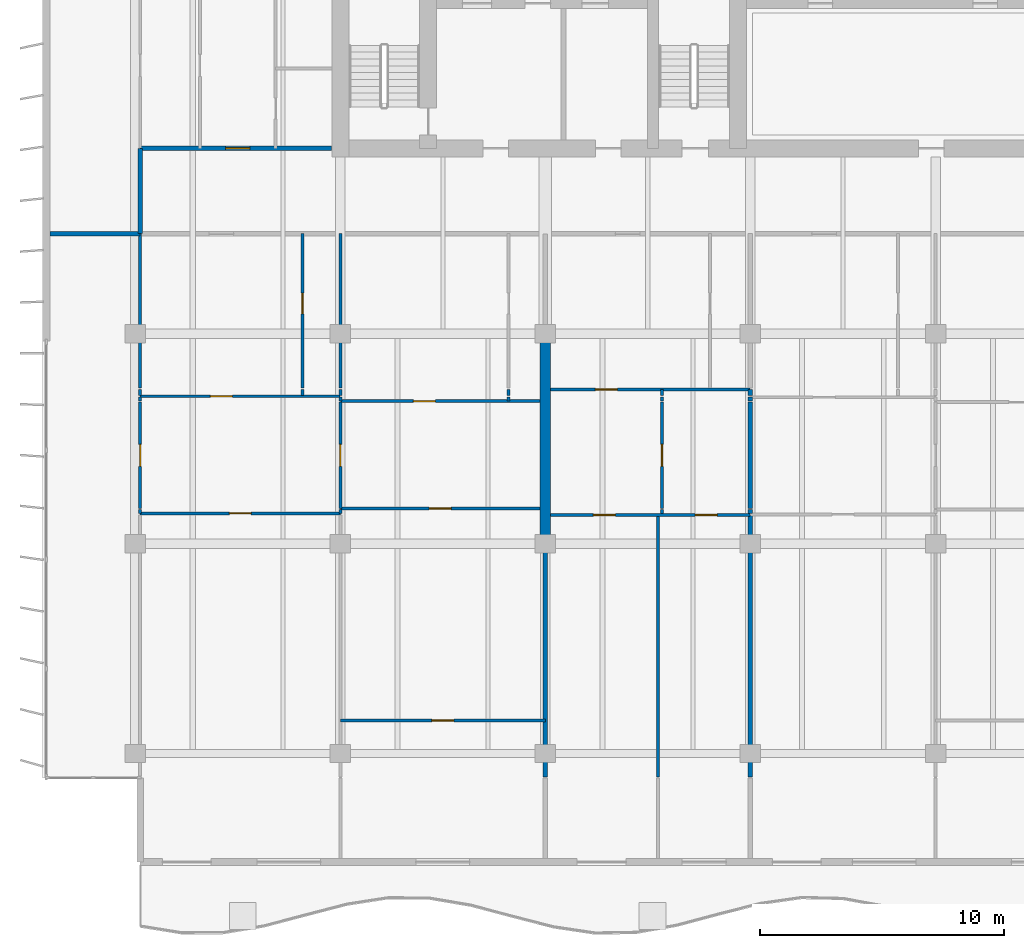
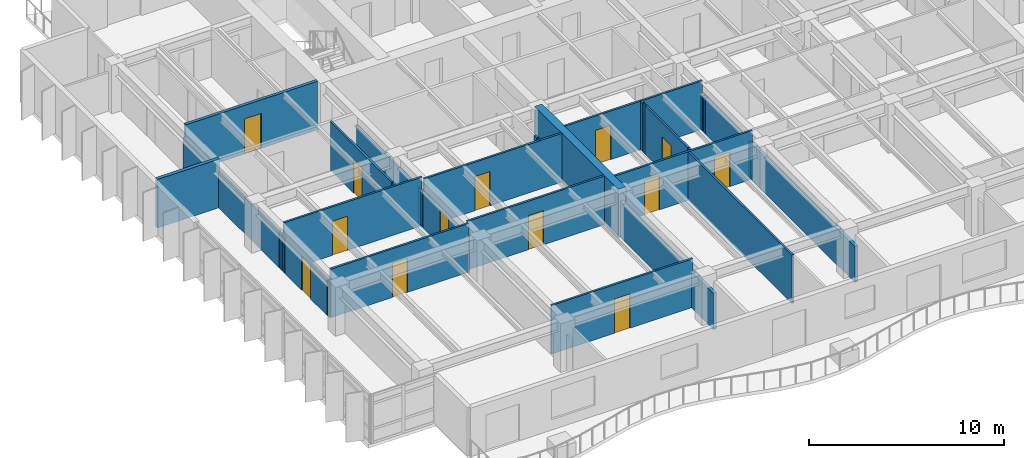
# One storey, part 8 of 19: 36 walls, 13 doors, 13 openings.
"""IFC4 building model written with IfcOpenShell, lengths in metres."""

from ifc_helpers import new_model, si_unit, direction, frame, frame_2d, origin, place, context, subcontext, project, spatial, rectangle, extrude, material, layer, layer_set, type_object, element, fill, save


model = new_model("IFC4")

# Units and contexts
model_context = context("Model", 3, precision=1e-05, world=origin(), true_north=direction((0.0, 1.0)))
body_context = subcontext(model_context, "Body", "Model", "MODEL_VIEW")
ifc_project = project(units=[si_unit("LENGTHUNIT", "METRE"), si_unit("AREAUNIT", "SQUARE_METRE"), si_unit("VOLUMEUNIT", "CUBIC_METRE"), si_unit("PLANEANGLEUNIT", "RADIAN"), si_unit("MASSUNIT", "GRAM", prefix="KILO")], contexts=[model_context])

# Site, building, storey
site_placement = place(None, origin())
site = spatial("IfcSite", under=ifc_project, at=site_placement, CompositionType="ELEMENT")
building_placement = place(site_placement, origin())
building = spatial("IfcBuilding", under=site, at=building_placement, Name="Caelmar Bay Residences", CompositionType="ELEMENT")
storey_placement = place(building_placement, frame((0.0, 0.0, 195.0)))
storey = spatial("IfcBuildingStorey", under=building, at=storey_placement, Name="L54", CompositionType="ELEMENT", Elevation=195.0)

# Walls
ifc_material_1 = material(Name="Concrete f'c 55 MPa (8,000 psi)", Category="concrete")
ifc_layer_1 = layer(ifc_material_1, 0.449951171875)
ifc_layer_set_1 = layer_set([ifc_layer_1], Name="Concrete f'c 55 MPa (8,000 psi)")
wall_type_1 = type_object("IfcWallType", Name="SW-XSLB-450", PredefinedType="SHEAR", material=ifc_layer_set_1)
wall_1_placement = place(storey_placement, frame((26.699951171875, 20.800048828125, 0.0), z_axis=(0.0, 0.0, 1.0), x_axis=(0.0, 1.0, 0.0)))
element("IfcWall", 1, at=wall_1_placement, inside=storey, type_object=wall_type_1, Name="L54 Transverse Cross-Slab Shear Wall W5", PredefinedType="SHEAR", context=body_context, shape_type="SweptSolid", body=[
    extrude(rectangle(XDim=8.599853515625, YDim=0.449951171875, at=frame_2d((4.2998046875, 0.0))), origin(), (0.0, 0.0, 1.0), 3.050048828125),
])
ifc_material_2 = material(Name="Double-stud acoustic fire-rated gypsum partition 180 mm")
ifc_layer_2 = layer(ifc_material_2, 0.179931640625)
ifc_layer_set_2 = layer_set([ifc_layer_2], Name="Double-stud acoustic fire-rated gypsum partition 180 mm")
wall_type_2 = type_object("IfcWallType", Name="W-COR-200", PredefinedType="PARTITIONING", material=ifc_layer_set_2)
wall_2_placement = place(storey_placement, frame((10.10009765625, 33.5048828125, 0.0), z_axis=(0.0, 0.0, 1.0), x_axis=(0.0, 1.0, 0.0)))
element("IfcWall", 2, at=wall_2_placement, inside=storey, type_object=wall_type_2, Name="L54 Partition Wall V007", PredefinedType="PARTITIONING", context=body_context, shape_type="SweptSolid", body=[
    extrude(rectangle(XDim=3.4951171875, YDim=0.179931640625, at=frame_2d((1.74755859375, 0.0))), origin(), (0.0, 0.0, 1.0), 2.262939453125),
])

# Wall, opening, door
wall_3_placement = place(storey_placement, frame((10.10009765625, 37.0, 0.0), z_axis=(0.0, 0.0, 1.0), x_axis=(1.0, 0.0, 0.0)))
wall_3 = element("IfcWall", 3, at=wall_3_placement, inside=storey, type_object=wall_type_2, Name="L54 Partition Wall H120", PredefinedType="PARTITIONING", context=body_context, shape_type="SweptSolid", body=[
    extrude(rectangle(XDim=7.844970703125, YDim=0.179931640625, at=frame_2d((3.92236328125, 0.0))), origin(), (0.0, 0.0, 1.0), 3.050048828125),
])
opening_1_placement = place(wall_3_placement, frame((3.49609375, 0.0, 0.0)))
opening_1 = element("IfcOpeningElement", 4, at=opening_1_placement, cuts=wall_3, Name="Opening D-L54-160", PredefinedType="OPENING", context=body_context, shape_type="SweptSolid", body=[
    extrude(rectangle(XDim=1.0, YDim=2.199951171875, at=frame_2d((0.5, 1.10009765625))), frame((0.0, 0.099853515625, 0.0), z_axis=(0.0, -1.0, 0.0), x_axis=(1.0, 0.0, 0.0)), (0.0, 0.0, 1.0), 0.199951171875),
])
ifc_material_3 = material(Name="Fire-rated steel and walnut architectural door assembly", Category="steel")
ifc_layer_3 = layer(ifc_material_3, 0.050048828125)
ifc_layer_set_3 = layer_set([ifc_layer_3], Name="Fire-rated steel and walnut architectural door assembly")
door_type_1 = type_object("IfcDoorType", Name="D-UNIT-1000", OperationType="NOTDEFINED", PredefinedType="DOOR", material=ifc_layer_set_3)
door_1_placement = place(opening_1_placement, origin())
door_1 = element("IfcDoor", 5, at=door_1_placement, inside=storey, type_object=door_type_1, Name="L54 Residence WA Kitchen Door", OperationType="SINGLE_SWING_RIGHT", OverallHeight=2.199951171875, OverallWidth=1.0, PredefinedType="DOOR", context=body_context, shape_type="SweptSolid", body=[
    extrude(rectangle(XDim=1.0, YDim=2.199951171875, at=frame_2d((0.5, 1.10009765625))), frame((0.0, 0.02490234375, 0.0), z_axis=(0.0, -1.0, 0.0), x_axis=(1.0, 0.0, 0.0)), (0.0, 0.0, 1.0), 0.050048828125),
])
fill(opening_1, door_1)

# Wall
ifc_material_4 = material(Name="Acoustic metal-stud gypsum partition 120 mm")
ifc_layer_4 = layer(ifc_material_4, 0.1201171875)
ifc_layer_set_4 = layer_set([ifc_layer_4], Name="Acoustic metal-stud gypsum partition 120 mm")
wall_type_3 = type_object("IfcWallType", Name="W-PRT-120", PredefinedType="PARTITIONING", material=ifc_layer_set_4)
wall_4_placement = place(storey_placement, frame((10.10009765625, 22.0400390625, 0.0), z_axis=(0.0, 0.0, 1.0), x_axis=(0.0, 1.0, 0.0)))
element("IfcWall", 6, at=wall_4_placement, inside=storey, type_object=wall_type_3, Name="L54 Partition Wall V002", PredefinedType="PARTITIONING", context=body_context, shape_type="SweptSolid", body=[
    extrude(rectangle(XDim=0.159912109375, YDim=0.1201171875, at=frame_2d((0.080078125, 0.0))), origin(), (0.0, 0.0, 1.0), 2.262939453125),
])

# Wall, opening, door
wall_5_placement = place(storey_placement, frame((10.10009765625, 22.239990234375, 0.0), z_axis=(0.0, 0.0, 1.0), x_axis=(0.0, 1.0, 0.0)))
wall_5 = element("IfcWall", 7, at=wall_5_placement, inside=storey, type_object=wall_type_3, Name="L54 Partition Wall V003", PredefinedType="PARTITIONING", context=body_context, shape_type="SweptSolid", body=[
    extrude(rectangle(XDim=4.360107421875, YDim=0.1201171875, at=frame_2d((2.18017578125, 0.0))), origin(), (0.0, 0.0, 1.0), 2.262939453125),
])
opening_2_placement = place(wall_5_placement, frame((1.72998046875, 0.0, 0.0)))
opening_2 = element("IfcOpeningElement", 8, at=opening_2_placement, cuts=wall_5, Name="Opening D-L54-157", PredefinedType="OPENING", context=body_context, shape_type="SweptSolid", body=[
    extrude(rectangle(XDim=0.89990234375, YDim=2.14990234375, at=frame_2d((0.449951171875, 1.074951171875))), frame((0.0, 0.070068359375, 0.0), z_axis=(0.0, -1.0, 0.0), x_axis=(1.0, 0.0, 0.0)), (0.0, 0.0, 1.0), 0.14013671875),
])
ifc_material_5 = material(Name="Solid walnut timber interior door leaf and frame", Category="wood")
ifc_layer_5 = layer(ifc_material_5, 0.050048828125)
ifc_layer_set_5 = layer_set([ifc_layer_5], Name="Solid walnut timber interior door leaf and frame")
door_type_2 = type_object("IfcDoorType", Name="D-ROOM-900", OperationType="NOTDEFINED", PredefinedType="DOOR", material=ifc_layer_set_5)
door_2_placement = place(opening_2_placement, origin())
door_2 = element("IfcDoor", 9, at=door_2_placement, inside=storey, type_object=door_type_2, Name="L54 Residence 01 Penthouse West Salon Door", OperationType="SINGLE_SWING_LEFT", OverallHeight=2.14990234375, OverallWidth=0.89990234375, PredefinedType="DOOR", context=body_context, shape_type="SweptSolid", body=[
    extrude(rectangle(XDim=0.89990234375, YDim=2.14990234375, at=frame_2d((0.449951171875, 1.074951171875))), frame((0.0, 0.02490234375, 0.0), z_axis=(0.0, -1.0, 0.0), x_axis=(1.0, 0.0, 0.0)), (0.0, 0.0, 1.0), 0.050048828125),
])
fill(opening_2, door_2)

# Walls
wall_6_placement = place(storey_placement, frame((10.10009765625, 26.639892578125, 0.0), z_axis=(0.0, 0.0, 1.0), x_axis=(0.0, 1.0, 0.0)))
element("IfcWall", 10, at=wall_6_placement, inside=storey, type_object=wall_type_3, Name="L54 Partition Wall V004", PredefinedType="PARTITIONING", context=body_context, shape_type="SweptSolid", body=[
    extrude(rectangle(XDim=0.16015625, YDim=0.1201171875, at=frame_2d((0.080078125, 0.0))), origin(), (0.0, 0.0, 1.0), 2.262939453125),
])
wall_7_placement = place(storey_placement, frame((10.10009765625, 26.8798828125, 0.0), z_axis=(0.0, 0.0, 1.0), x_axis=(0.0, 1.0, 0.0)))
element("IfcWall", 11, at=wall_7_placement, inside=storey, type_object=wall_type_3, Name="L54 Partition Wall V005", PredefinedType="PARTITIONING", context=body_context, shape_type="SweptSolid", body=[
    extrude(rectangle(XDim=0.240234375, YDim=0.1201171875, at=frame_2d((0.1201171875, 0.0))), origin(), (0.0, 0.0, 1.0), 2.262939453125),
])
wall_8_placement = place(storey_placement, frame((10.10009765625, 27.179931640625, 0.0), z_axis=(0.0, 0.0, 1.0), x_axis=(0.0, 1.0, 0.0)))
element("IfcWall", 12, at=wall_8_placement, inside=storey, type_object=wall_type_3, Name="L54 Partition Wall V006", PredefinedType="PARTITIONING", context=body_context, shape_type="SweptSolid", body=[
    extrude(rectangle(XDim=6.320068359375, YDim=0.1201171875, at=frame_2d((3.16015625, 0.0))), origin(), (0.0, 0.0, 1.0), 2.262939453125),
])
wall_9_placement = place(storey_placement, frame((16.7529296875, 26.8798828125, 0.0), z_axis=(0.0, 0.0, 1.0), x_axis=(0.0, 1.0, 0.0)))
element("IfcWall", 13, at=wall_9_placement, inside=storey, type_object=wall_type_3, Name="L54 Partition Wall V012", PredefinedType="PARTITIONING", context=body_context, shape_type="SweptSolid", body=[
    extrude(rectangle(XDim=0.240234375, YDim=0.1201171875, at=frame_2d((0.1201171875, 0.0))), origin(), (0.0, 0.0, 1.0), 3.050048828125),
])

# Wall, opening, door
wall_10_placement = place(storey_placement, frame((16.7529296875, 27.179931640625, 0.0), z_axis=(0.0, 0.0, 1.0), x_axis=(0.0, 1.0, 0.0)))
wall_10 = element("IfcWall", 14, at=wall_10_placement, inside=storey, type_object=wall_type_3, Name="L54 Partition Wall V013", PredefinedType="PARTITIONING", context=body_context, shape_type="SweptSolid", body=[
    extrude(rectangle(XDim=6.320068359375, YDim=0.1201171875, at=frame_2d((3.16015625, 0.0))), origin(), (0.0, 0.0, 1.0), 3.050048828125),
])
opening_3_placement = place(wall_10_placement, frame((3.034912109375, 0.0, 0.0)))
opening_3 = element("IfcOpeningElement", 15, at=opening_3_placement, cuts=wall_10, Name="Opening D-L54-121", PredefinedType="OPENING", context=body_context, shape_type="SweptSolid", body=[
    extrude(rectangle(XDim=0.85009765625, YDim=2.10009765625, at=frame_2d((0.425048828125, 1.050048828125))), frame((0.0, 0.070068359375, 0.0), z_axis=(0.0, -1.0, 0.0), x_axis=(1.0, 0.0, 0.0)), (0.0, 0.0, 1.0), 0.14013671875),
])
ifc_layer_6 = layer(ifc_material_5, 0.050048828125)
ifc_layer_set_6 = layer_set([ifc_layer_6], Name="Solid walnut timber interior door leaf and frame")
door_type_3 = type_object("IfcDoorType", Name="D-BATH-850", OperationType="NOTDEFINED", PredefinedType="DOOR", material=ifc_layer_set_6)
door_3_placement = place(opening_3_placement, origin())
door_3 = element("IfcDoor", 16, at=door_3_placement, inside=storey, type_object=door_type_3, Name="L54 Residence 01 Guest Bathroom Door", OperationType="SINGLE_SWING_LEFT", OverallHeight=2.10009765625, OverallWidth=0.85009765625, PredefinedType="DOOR", context=body_context, shape_type="SweptSolid", body=[
    extrude(rectangle(XDim=0.85009765625, YDim=2.10009765625, at=frame_2d((0.425048828125, 1.050048828125))), frame((0.0, 0.02490234375, 0.0), z_axis=(0.0, -1.0, 0.0), x_axis=(1.0, 0.0, 0.0)), (0.0, 0.0, 1.0), 0.050048828125),
])
fill(opening_3, door_3)

# Wall
wall_11_placement = place(storey_placement, frame((18.300048828125, 22.0400390625, 0.0), z_axis=(0.0, 0.0, 1.0), x_axis=(0.0, 1.0, 0.0)))
element("IfcWall", 17, at=wall_11_placement, inside=storey, type_object=wall_type_3, Name="L54 Partition Wall V016", PredefinedType="PARTITIONING", context=body_context, shape_type="SweptSolid", body=[
    extrude(rectangle(XDim=0.159912109375, YDim=0.1201171875, at=frame_2d((0.080078125, 0.0))), origin(), (0.0, 0.0, 1.0), 2.262939453125),
])

# Wall, opening, door
wall_12_placement = place(storey_placement, frame((18.300048828125, 22.239990234375, 0.0), z_axis=(0.0, 0.0, 1.0), x_axis=(0.0, 1.0, 0.0)))
wall_12 = element("IfcWall", 18, at=wall_12_placement, inside=storey, type_object=wall_type_3, Name="L54 Partition Wall V017", PredefinedType="PARTITIONING", context=body_context, shape_type="SweptSolid", body=[
    extrude(rectangle(XDim=4.360107421875, YDim=0.1201171875, at=frame_2d((2.18017578125, 0.0))), origin(), (0.0, 0.0, 1.0), 2.262939453125),
])
opening_4_placement = place(wall_12_placement, frame((1.72998046875, 0.0, 0.0)))
opening_4 = element("IfcOpeningElement", 19, at=opening_4_placement, cuts=wall_12, Name="Opening D-L54-124", PredefinedType="OPENING", context=body_context, shape_type="SweptSolid", body=[
    extrude(rectangle(XDim=0.89990234375, YDim=2.14990234375, at=frame_2d((0.449951171875, 1.074951171875))), frame((0.0, 0.070068359375, 0.0), z_axis=(0.0, -1.0, 0.0), x_axis=(1.0, 0.0, 0.0)), (0.0, 0.0, 1.0), 0.14013671875),
])
door_4_placement = place(opening_4_placement, origin())
door_4 = element("IfcDoor", 20, at=door_4_placement, inside=storey, type_object=door_type_2, Name="L54 Residence 01 Conference Study 1 Door", OperationType="SINGLE_SWING_RIGHT", OverallHeight=2.14990234375, OverallWidth=0.89990234375, PredefinedType="DOOR", context=body_context, shape_type="SweptSolid", body=[
    extrude(rectangle(XDim=0.89990234375, YDim=2.14990234375, at=frame_2d((0.449951171875, 1.074951171875))), frame((0.0, 0.02490234375, 0.0), z_axis=(0.0, -1.0, 0.0), x_axis=(1.0, 0.0, 0.0)), (0.0, 0.0, 1.0), 0.050048828125),
])
fill(opening_4, door_4)

# Walls
wall_13_placement = place(storey_placement, frame((18.300048828125, 26.639892578125, 0.0), z_axis=(0.0, 0.0, 1.0), x_axis=(0.0, 1.0, 0.0)))
element("IfcWall", 21, at=wall_13_placement, inside=storey, type_object=wall_type_3, Name="L54 Partition Wall V018", PredefinedType="PARTITIONING", context=body_context, shape_type="SweptSolid", body=[
    extrude(rectangle(XDim=0.16015625, YDim=0.1201171875, at=frame_2d((0.080078125, 0.0))), origin(), (0.0, 0.0, 1.0), 2.262939453125),
])
wall_14_placement = place(storey_placement, frame((18.300048828125, 26.8798828125, 0.0), z_axis=(0.0, 0.0, 1.0), x_axis=(0.0, 1.0, 0.0)))
element("IfcWall", 22, at=wall_14_placement, inside=storey, type_object=wall_type_3, Name="L54 Partition Wall V019", PredefinedType="PARTITIONING", context=body_context, shape_type="SweptSolid", body=[
    extrude(rectangle(XDim=0.240234375, YDim=0.1201171875, at=frame_2d((0.1201171875, 0.0))), origin(), (0.0, 0.0, 1.0), 2.262939453125),
])
wall_15_placement = place(storey_placement, frame((18.300048828125, 27.179931640625, 0.0), z_axis=(0.0, 0.0, 1.0), x_axis=(0.0, 1.0, 0.0)))
element("IfcWall", 23, at=wall_15_placement, inside=storey, type_object=wall_type_3, Name="L54 Partition Wall V020", PredefinedType="PARTITIONING", context=body_context, shape_type="SweptSolid", body=[
    extrude(rectangle(XDim=6.320068359375, YDim=0.1201171875, at=frame_2d((3.16015625, 0.0))), origin(), (0.0, 0.0, 1.0), 2.262939453125),
])
wall_16_placement = place(storey_placement, frame((25.199951171875, 26.639892578125, 0.0), z_axis=(0.0, 0.0, 1.0), x_axis=(0.0, 1.0, 0.0)))
element("IfcWall", 24, at=wall_16_placement, inside=storey, type_object=wall_type_3, Name="L54 Partition Wall V022", PredefinedType="PARTITIONING", context=body_context, shape_type="SweptSolid", body=[
    extrude(rectangle(XDim=0.16015625, YDim=0.1201171875, at=frame_2d((0.080078125, 0.0))), origin(), (0.0, 0.0, 1.0), 3.050048828125),
])
wall_17_placement = place(storey_placement, frame((25.199951171875, 26.8798828125, 0.0), z_axis=(0.0, 0.0, 1.0), x_axis=(0.0, 1.0, 0.0)))
element("IfcWall", 25, at=wall_17_placement, inside=storey, type_object=wall_type_3, Name="L54 Partition Wall V023", PredefinedType="PARTITIONING", context=body_context, shape_type="SweptSolid", body=[
    extrude(rectangle(XDim=0.240234375, YDim=0.1201171875, at=frame_2d((0.1201171875, 0.0))), origin(), (0.0, 0.0, 1.0), 3.050048828125),
])
wall_18_placement = place(storey_placement, frame((31.320068359375, 11.239990234375, 0.0), z_axis=(0.0, 0.0, 1.0), x_axis=(0.0, 1.0, 0.0)))
element("IfcWall", 26, at=wall_18_placement, inside=storey, type_object=wall_type_3, Name="L54 Partition Wall V032", PredefinedType="PARTITIONING", context=body_context, shape_type="SweptSolid", body=[
    extrude(rectangle(XDim=10.72998046875, YDim=0.1201171875, at=frame_2d((5.364990234375, 0.0))), origin(), (0.0, 0.0, 1.0), 3.050048828125),
])
wall_19_placement = place(storey_placement, frame((31.486083984375, 22.0400390625, 0.0), z_axis=(0.0, 0.0, 1.0), x_axis=(0.0, 1.0, 0.0)))
element("IfcWall", 27, at=wall_19_placement, inside=storey, type_object=wall_type_3, Name="L54 Partition Wall V033", PredefinedType="PARTITIONING", context=body_context, shape_type="SweptSolid", body=[
    extrude(rectangle(XDim=0.159912109375, YDim=0.1201171875, at=frame_2d((0.080078125, 0.0))), origin(), (0.0, 0.0, 1.0), 3.050048828125),
])

# Wall, opening, door
wall_20_placement = place(storey_placement, frame((31.486083984375, 22.239990234375, 0.0), z_axis=(0.0, 0.0, 1.0), x_axis=(0.0, 1.0, 0.0)))
wall_20 = element("IfcWall", 28, at=wall_20_placement, inside=storey, type_object=wall_type_3, Name="L54 Partition Wall V034", PredefinedType="PARTITIONING", context=body_context, shape_type="SweptSolid", body=[
    extrude(rectangle(XDim=4.360107421875, YDim=0.1201171875, at=frame_2d((2.18017578125, 0.0))), origin(), (0.0, 0.0, 1.0), 3.050048828125),
])
opening_5_placement = place(wall_20_placement, frame((1.72998046875, 0.0, 0.0)))
opening_5 = element("IfcOpeningElement", 29, at=opening_5_placement, cuts=wall_20, Name="Opening D-L54-132", PredefinedType="OPENING", context=body_context, shape_type="SweptSolid", body=[
    extrude(rectangle(XDim=0.89990234375, YDim=2.14990234375, at=frame_2d((0.449951171875, 1.074951171875))), frame((0.0, 0.070068359375, 0.0), z_axis=(0.0, -1.0, 0.0), x_axis=(1.0, 0.0, 0.0)), (0.0, 0.0, 1.0), 0.14013671875),
])
door_5_placement = place(opening_5_placement, origin())
door_5 = element("IfcDoor", 30, at=door_5_placement, inside=storey, type_object=door_type_2, Name="L54 Residence 02 Private Meeting Room Door", OperationType="SINGLE_SWING_RIGHT", OverallHeight=2.14990234375, OverallWidth=0.89990234375, PredefinedType="DOOR", context=body_context, shape_type="SweptSolid", body=[
    extrude(rectangle(XDim=0.89990234375, YDim=2.14990234375, at=frame_2d((0.449951171875, 1.074951171875))), frame((0.0, 0.02490234375, 0.0), z_axis=(0.0, -1.0, 0.0), x_axis=(1.0, 0.0, 0.0)), (0.0, 0.0, 1.0), 0.050048828125),
])
fill(opening_5, door_5)

# Walls
wall_21_placement = place(storey_placement, frame((31.486083984375, 26.639892578125, 0.0), z_axis=(0.0, 0.0, 1.0), x_axis=(0.0, 1.0, 0.0)))
element("IfcWall", 31, at=wall_21_placement, inside=storey, type_object=wall_type_3, Name="L54 Partition Wall V035", PredefinedType="PARTITIONING", context=body_context, shape_type="SweptSolid", body=[
    extrude(rectangle(XDim=0.16015625, YDim=0.1201171875, at=frame_2d((0.080078125, 0.0))), origin(), (0.0, 0.0, 1.0), 3.050048828125),
])
wall_22_placement = place(storey_placement, frame((31.486083984375, 26.8798828125, 0.0), z_axis=(0.0, 0.0, 1.0), x_axis=(0.0, 1.0, 0.0)))
element("IfcWall", 32, at=wall_22_placement, inside=storey, type_object=wall_type_3, Name="L54 Partition Wall V036", PredefinedType="PARTITIONING", context=body_context, shape_type="SweptSolid", body=[
    extrude(rectangle(XDim=0.240234375, YDim=0.1201171875, at=frame_2d((0.1201171875, 0.0))), origin(), (0.0, 0.0, 1.0), 3.050048828125),
])

# Wall, opening, door
wall_23_placement = place(storey_placement, frame((18.300048828125, 13.550048828125, 0.0), z_axis=(0.0, 0.0, 1.0), x_axis=(1.0, 0.0, 0.0)))
wall_23 = element("IfcWall", 33, at=wall_23_placement, inside=storey, type_object=wall_type_3, Name="L54 Partition Wall H100", PredefinedType="PARTITIONING", context=body_context, shape_type="SweptSolid", body=[
    extrude(rectangle(XDim=8.39990234375, YDim=0.1201171875, at=frame_2d((4.199951171875, 0.0))), origin(), (0.0, 0.0, 1.0), 3.050048828125),
])
opening_6_placement = place(wall_23_placement, frame((3.75, 0.0, 0.0)))
opening_6 = element("IfcOpeningElement", 34, at=opening_6_placement, cuts=wall_23, Name="Opening D-L54-128", PredefinedType="OPENING", context=body_context, shape_type="SweptSolid", body=[
    extrude(rectangle(XDim=0.89990234375, YDim=2.14990234375, at=frame_2d((0.449951171875, 1.074951171875))), frame((0.0, 0.070068359375, 0.0), z_axis=(0.0, -1.0, 0.0), x_axis=(1.0, 0.0, 0.0)), (0.0, 0.0, 1.0), 0.14013671875),
])
door_6_placement = place(opening_6_placement, origin())
door_6 = element("IfcDoor", 35, at=door_6_placement, inside=storey, type_object=door_type_2, Name="L54 Residence 01 Primary Bedroom 1 Door", OperationType="SINGLE_SWING_RIGHT", OverallHeight=2.14990234375, OverallWidth=0.89990234375, PredefinedType="DOOR", context=body_context, shape_type="SweptSolid", body=[
    extrude(rectangle(XDim=0.89990234375, YDim=2.14990234375, at=frame_2d((0.449951171875, 1.074951171875))), frame((0.0, 0.02490234375, 0.0), z_axis=(0.0, -1.0, 0.0), x_axis=(1.0, 0.0, 0.0)), (0.0, 0.0, 1.0), 0.050048828125),
])
fill(opening_6, door_6)

# Wall, openings, doors
wall_24_placement = place(storey_placement, frame((26.919921875, 21.969970703125, 0.0), z_axis=(0.0, 0.0, 1.0), x_axis=(1.0, 0.0, 0.0)))
wall_24 = element("IfcWall", 36, at=wall_24_placement, inside=storey, type_object=wall_type_3, Name="L54 Partition Wall H104", PredefinedType="PARTITIONING", context=body_context, shape_type="SweptSolid", body=[
    extrude(rectangle(XDim=8.18017578125, YDim=0.1201171875, at=frame_2d((4.090087890625, 0.0))), origin(), (0.0, 0.0, 1.0), 3.050048828125),
])
opening_7_placement = place(wall_24_placement, frame((1.75, 0.0, 0.0)))
opening_7 = element("IfcOpeningElement", 37, at=opening_7_placement, cuts=wall_24, Name="Opening D-L54-133", PredefinedType="OPENING", context=body_context, shape_type="SweptSolid", body=[
    extrude(rectangle(XDim=0.89990234375, YDim=2.14990234375, at=frame_2d((0.449951171875, 1.074951171875))), frame((0.0, 0.070068359375, 0.0), z_axis=(0.0, -1.0, 0.0), x_axis=(1.0, 0.0, 0.0)), (0.0, 0.0, 1.0), 0.14013671875),
])
opening_8_placement = place(wall_24_placement, frame((5.923095703125, 0.0, 0.0)))
opening_8 = element("IfcOpeningElement", 38, at=opening_8_placement, cuts=wall_24, Name="Opening D-L54-134", PredefinedType="OPENING", context=body_context, shape_type="SweptSolid", body=[
    extrude(rectangle(XDim=0.89990234375, YDim=2.14990234375, at=frame_2d((0.449951171875, 1.074951171875))), frame((0.0, 0.070068359375, 0.0), z_axis=(0.0, -1.0, 0.0), x_axis=(1.0, 0.0, 0.0)), (0.0, 0.0, 1.0), 0.14013671875),
])
door_7_placement = place(opening_7_placement, origin())
door_7 = element("IfcDoor", 39, at=door_7_placement, inside=storey, type_object=door_type_2, Name="L54 Residence 02 Living Room Door", OperationType="SINGLE_SWING_LEFT", OverallHeight=2.14990234375, OverallWidth=0.89990234375, PredefinedType="DOOR", context=body_context, shape_type="SweptSolid", body=[
    extrude(rectangle(XDim=0.89990234375, YDim=2.14990234375, at=frame_2d((0.449951171875, 1.074951171875))), frame((0.0, 0.02490234375, 0.0), z_axis=(0.0, -1.0, 0.0), x_axis=(1.0, 0.0, 0.0)), (0.0, 0.0, 1.0), 0.050048828125),
])
fill(opening_7, door_7)
door_8_placement = place(opening_8_placement, origin())
door_8 = element("IfcDoor", 40, at=door_8_placement, inside=storey, type_object=door_type_2, Name="L54 Residence 02 Primary Bedroom Door", OperationType="SINGLE_SWING_RIGHT", OverallHeight=2.14990234375, OverallWidth=0.89990234375, PredefinedType="DOOR", context=body_context, shape_type="SweptSolid", body=[
    extrude(rectangle(XDim=0.89990234375, YDim=2.14990234375, at=frame_2d((0.449951171875, 1.074951171875))), frame((0.0, 0.02490234375, 0.0), z_axis=(0.0, -1.0, 0.0), x_axis=(1.0, 0.0, 0.0)), (0.0, 0.0, 1.0), 0.050048828125),
])
fill(opening_8, door_8)

# Wall, opening, door
wall_25_placement = place(storey_placement, frame((10.10009765625, 22.0400390625, 0.0), z_axis=(0.0, 0.0, 1.0), x_axis=(1.0, 0.0, 0.0)))
wall_25 = element("IfcWall", 41, at=wall_25_placement, inside=storey, type_object=wall_type_3, Name="L54 Partition Wall H107", PredefinedType="PARTITIONING", context=body_context, shape_type="SweptSolid", body=[
    extrude(rectangle(XDim=8.199951171875, YDim=0.1201171875, at=frame_2d((4.10009765625, 0.0))), origin(), (0.0, 0.0, 1.0), 3.050048828125),
])
opening_9_placement = place(wall_25_placement, frame((3.64990234375, 0.0, 0.0)))
opening_9 = element("IfcOpeningElement", 42, at=opening_9_placement, cuts=wall_25, Name="Opening D-L54-123", PredefinedType="OPENING", context=body_context, shape_type="SweptSolid", body=[
    extrude(rectangle(XDim=0.89990234375, YDim=2.14990234375, at=frame_2d((0.449951171875, 1.074951171875))), frame((0.0, 0.070068359375, 0.0), z_axis=(0.0, -1.0, 0.0), x_axis=(1.0, 0.0, 0.0)), (0.0, 0.0, 1.0), 0.14013671875),
])
door_9_placement = place(opening_9_placement, origin())
door_9 = element("IfcDoor", 43, at=door_9_placement, inside=storey, type_object=door_type_2, Name="L54 Residence 01 Penthouse Living Salon Door", OperationType="SINGLE_SWING_LEFT", OverallHeight=2.14990234375, OverallWidth=0.89990234375, PredefinedType="DOOR", context=body_context, shape_type="SweptSolid", body=[
    extrude(rectangle(XDim=0.89990234375, YDim=2.14990234375, at=frame_2d((0.449951171875, 1.074951171875))), frame((0.0, 0.02490234375, 0.0), z_axis=(0.0, -1.0, 0.0), x_axis=(1.0, 0.0, 0.0)), (0.0, 0.0, 1.0), 0.050048828125),
])
fill(opening_9, door_9)

wall_26_placement = place(storey_placement, frame((18.304931640625, 22.239990234375, 0.0), z_axis=(0.0, 0.0, 1.0), x_axis=(1.0, 0.0, 0.0)))
wall_26 = element("IfcWall", 44, at=wall_26_placement, inside=storey, type_object=wall_type_3, Name="L54 Partition Wall H109", PredefinedType="PARTITIONING", context=body_context, shape_type="SweptSolid", body=[
    extrude(rectangle(XDim=8.175048828125, YDim=0.1201171875, at=frame_2d((4.08740234375, 0.0))), origin(), (0.0, 0.0, 1.0), 3.050048828125),
])
opening_10_placement = place(wall_26_placement, frame((3.637451171875, 0.0, 0.0)))
opening_10 = element("IfcOpeningElement", 45, at=opening_10_placement, cuts=wall_26, Name="Opening D-L54-127", PredefinedType="OPENING", context=body_context, shape_type="SweptSolid", body=[
    extrude(rectangle(XDim=0.89990234375, YDim=2.14990234375, at=frame_2d((0.449951171875, 1.074951171875))), frame((0.0, 0.070068359375, 0.0), z_axis=(0.0, -1.0, 0.0), x_axis=(1.0, 0.0, 0.0)), (0.0, 0.0, 1.0), 0.14013671875),
])
door_10_placement = place(opening_10_placement, origin())
door_10 = element("IfcDoor", 46, at=door_10_placement, inside=storey, type_object=door_type_2, Name="L54 Residence 01 Penthouse Sitting Salon 1 Door", OperationType="SINGLE_SWING_LEFT", OverallHeight=2.14990234375, OverallWidth=0.89990234375, PredefinedType="DOOR", context=body_context, shape_type="SweptSolid", body=[
    extrude(rectangle(XDim=0.89990234375, YDim=2.14990234375, at=frame_2d((0.449951171875, 1.074951171875))), frame((0.0, 0.02490234375, 0.0), z_axis=(0.0, -1.0, 0.0), x_axis=(1.0, 0.0, 0.0)), (0.0, 0.0, 1.0), 0.050048828125),
])
fill(opening_10, door_10)

wall_27_placement = place(storey_placement, frame((18.300048828125, 26.639892578125, 0.0), z_axis=(0.0, 0.0, 1.0), x_axis=(1.0, 0.0, 0.0)))
wall_27 = element("IfcWall", 47, at=wall_27_placement, inside=storey, type_object=wall_type_3, Name="L54 Partition Wall H111", PredefinedType="PARTITIONING", context=body_context, shape_type="SweptSolid", body=[
    extrude(rectangle(XDim=8.179931640625, YDim=0.1201171875, at=frame_2d((4.08984375, 0.0))), origin(), (0.0, 0.0, 1.0), 3.050048828125),
])
opening_11_placement = place(wall_27_placement, frame((3.0, 0.0, 0.0)))
opening_11 = element("IfcOpeningElement", 48, at=opening_11_placement, cuts=wall_27, Name="Opening D-L54-125", PredefinedType="OPENING", context=body_context, shape_type="SweptSolid", body=[
    extrude(rectangle(XDim=0.89990234375, YDim=2.14990234375, at=frame_2d((0.449951171875, 1.074951171875))), frame((0.0, 0.070068359375, 0.0), z_axis=(0.0, -1.0, 0.0), x_axis=(1.0, 0.0, 0.0)), (0.0, 0.0, 1.0), 0.14013671875),
])
door_11_placement = place(opening_11_placement, origin())
door_11 = element("IfcDoor", 49, at=door_11_placement, inside=storey, type_object=door_type_2, Name="L54 Residence 01 Private Meeting Room 1 Door", OperationType="SINGLE_SWING_LEFT", OverallHeight=2.14990234375, OverallWidth=0.89990234375, PredefinedType="DOOR", context=body_context, shape_type="SweptSolid", body=[
    extrude(rectangle(XDim=0.89990234375, YDim=2.14990234375, at=frame_2d((0.449951171875, 1.074951171875))), frame((0.0, 0.02490234375, 0.0), z_axis=(0.0, -1.0, 0.0), x_axis=(1.0, 0.0, 0.0)), (0.0, 0.0, 1.0), 0.050048828125),
])
fill(opening_11, door_11)

wall_28_placement = place(storey_placement, frame((10.10009765625, 26.840087890625, 0.0), z_axis=(0.0, 0.0, 1.0), x_axis=(1.0, 0.0, 0.0)))
wall_28 = element("IfcWall", 50, at=wall_28_placement, inside=storey, type_object=wall_type_3, Name="L54 Partition Wall H113", PredefinedType="PARTITIONING", context=body_context, shape_type="SweptSolid", body=[
    extrude(rectangle(XDim=8.19482421875, YDim=0.1201171875, at=frame_2d((4.097412109375, 0.0))), origin(), (0.0, 0.0, 1.0), 3.050048828125),
])
opening_12_placement = place(wall_28_placement, frame((2.87646484375, 0.0, 0.0)))
opening_12 = element("IfcOpeningElement", 51, at=opening_12_placement, cuts=wall_28, Name="Opening D-L54-122", PredefinedType="OPENING", context=body_context, shape_type="SweptSolid", body=[
    extrude(rectangle(XDim=0.89990234375, YDim=2.14990234375, at=frame_2d((0.449951171875, 1.074951171875))), frame((0.0, 0.070068359375, 0.0), z_axis=(0.0, -1.0, 0.0), x_axis=(1.0, 0.0, 0.0)), (0.0, 0.0, 1.0), 0.14013671875),
])
door_12_placement = place(opening_12_placement, origin())
door_12 = element("IfcDoor", 52, at=door_12_placement, inside=storey, type_object=door_type_2, Name="L54 Residence 01 Kitchen Door", OperationType="SINGLE_SWING_RIGHT", OverallHeight=2.14990234375, OverallWidth=0.89990234375, PredefinedType="DOOR", context=body_context, shape_type="SweptSolid", body=[
    extrude(rectangle(XDim=0.89990234375, YDim=2.14990234375, at=frame_2d((0.449951171875, 1.074951171875))), frame((0.0, 0.02490234375, 0.0), z_axis=(0.0, -1.0, 0.0), x_axis=(1.0, 0.0, 0.0)), (0.0, 0.0, 1.0), 0.050048828125),
])
fill(opening_12, door_12)

wall_29_placement = place(storey_placement, frame((26.919921875, 27.1201171875, 0.0), z_axis=(0.0, 0.0, 1.0), x_axis=(1.0, 0.0, 0.0)))
wall_29 = element("IfcWall", 53, at=wall_29_placement, inside=storey, type_object=wall_type_3, Name="L54 Partition Wall H115", PredefinedType="PARTITIONING", context=body_context, shape_type="SweptSolid", body=[
    extrude(rectangle(XDim=8.18017578125, YDim=0.1201171875, at=frame_2d((4.090087890625, 0.0))), origin(), (0.0, 0.0, 1.0), 3.050048828125),
])
opening_13_placement = place(wall_29_placement, frame((1.8330078125, 0.0, 0.0)))
opening_13 = element("IfcOpeningElement", 54, at=opening_13_placement, cuts=wall_29, Name="Opening D-L54-131", PredefinedType="OPENING", context=body_context, shape_type="SweptSolid", body=[
    extrude(rectangle(XDim=0.89990234375, YDim=2.14990234375, at=frame_2d((0.449951171875, 1.074951171875))), frame((0.0, 0.070068359375, 0.0), z_axis=(0.0, -1.0, 0.0), x_axis=(1.0, 0.0, 0.0)), (0.0, 0.0, 1.0), 0.14013671875),
])
door_13_placement = place(opening_13_placement, origin())
door_13 = element("IfcDoor", 55, at=door_13_placement, inside=storey, type_object=door_type_2, Name="L54 Residence 02 Kitchen Door", OperationType="SINGLE_SWING_LEFT", OverallHeight=2.14990234375, OverallWidth=0.89990234375, PredefinedType="DOOR", context=body_context, shape_type="SweptSolid", body=[
    extrude(rectangle(XDim=0.89990234375, YDim=2.14990234375, at=frame_2d((0.449951171875, 1.074951171875))), frame((0.0, 0.02490234375, 0.0), z_axis=(0.0, -1.0, 0.0), x_axis=(1.0, 0.0, 0.0)), (0.0, 0.0, 1.0), 0.050048828125),
])
fill(opening_13, door_13)

# Walls
ifc_material_6 = material(Name="Acoustic twin-stud fire-rated inter-tenancy partition 200 mm")
ifc_layer_7 = layer(ifc_material_6, 0.199951171875)
ifc_layer_set_7 = layer_set([ifc_layer_7], Name="Acoustic twin-stud fire-rated inter-tenancy partition 200 mm")
wall_type_4 = type_object("IfcWallType", Name="W-PTY-200", PredefinedType="PARTITIONING", material=ifc_layer_set_7)
wall_30_placement = place(storey_placement, frame((26.699951171875, 11.239990234375, 0.0), z_axis=(0.0, 0.0, 1.0), x_axis=(0.0, 1.0, 0.0)))
element("IfcWall", 56, at=wall_30_placement, inside=storey, type_object=wall_type_4, Name="L54 Partition Wall V027", PredefinedType="PARTITIONING", context=body_context, shape_type="SweptSolid", body=[
    extrude(rectangle(XDim=9.554931640625, YDim=0.199951171875, at=frame_2d((4.77734375, 0.0))), origin(), (0.0, 0.0, 1.0), 2.262939453125),
])
wall_31_placement = place(storey_placement, frame((35.10009765625, 11.239990234375, 0.0), z_axis=(0.0, 0.0, 1.0), x_axis=(0.0, 1.0, 0.0)))
element("IfcWall", 57, at=wall_31_placement, inside=storey, type_object=wall_type_4, Name="L54 Partition Wall V039", PredefinedType="PARTITIONING", context=body_context, shape_type="SweptSolid", body=[
    extrude(rectangle(XDim=10.72998046875, YDim=0.199951171875, at=frame_2d((5.364990234375, 0.0))), origin(), (0.0, 0.0, 1.0), 2.262939453125),
])
wall_32_placement = place(storey_placement, frame((35.10009765625, 22.0400390625, 0.0), z_axis=(0.0, 0.0, 1.0), x_axis=(0.0, 1.0, 0.0)))
element("IfcWall", 58, at=wall_32_placement, inside=storey, type_object=wall_type_4, Name="L54 Partition Wall V040", PredefinedType="PARTITIONING", context=body_context, shape_type="SweptSolid", body=[
    extrude(rectangle(XDim=0.159912109375, YDim=0.199951171875, at=frame_2d((0.080078125, 0.0))), origin(), (0.0, 0.0, 1.0), 2.262939453125),
])
wall_33_placement = place(storey_placement, frame((35.10009765625, 22.239990234375, 0.0), z_axis=(0.0, 0.0, 1.0), x_axis=(0.0, 1.0, 0.0)))
element("IfcWall", 59, at=wall_33_placement, inside=storey, type_object=wall_type_4, Name="L54 Partition Wall V041", PredefinedType="PARTITIONING", context=body_context, shape_type="SweptSolid", body=[
    extrude(rectangle(XDim=4.360107421875, YDim=0.199951171875, at=frame_2d((2.18017578125, 0.0))), origin(), (0.0, 0.0, 1.0), 2.262939453125),
])
wall_34_placement = place(storey_placement, frame((35.10009765625, 26.639892578125, 0.0), z_axis=(0.0, 0.0, 1.0), x_axis=(0.0, 1.0, 0.0)))
element("IfcWall", 60, at=wall_34_placement, inside=storey, type_object=wall_type_4, Name="L54 Partition Wall V042", PredefinedType="PARTITIONING", context=body_context, shape_type="SweptSolid", body=[
    extrude(rectangle(XDim=0.16015625, YDim=0.199951171875, at=frame_2d((0.080078125, 0.0))), origin(), (0.0, 0.0, 1.0), 2.262939453125),
])
wall_35_placement = place(storey_placement, frame((35.10009765625, 26.8798828125, 0.0), z_axis=(0.0, 0.0, 1.0), x_axis=(0.0, 1.0, 0.0)))
element("IfcWall", 61, at=wall_35_placement, inside=storey, type_object=wall_type_4, Name="L54 Partition Wall V043", PredefinedType="PARTITIONING", context=body_context, shape_type="SweptSolid", body=[
    extrude(rectangle(XDim=0.240234375, YDim=0.199951171875, at=frame_2d((0.1201171875, 0.0))), origin(), (0.0, 0.0, 1.0), 2.262939453125),
])
wall_36_placement = place(storey_placement, frame((6.39501953125, 33.5, 0.0), z_axis=(0.0, 0.0, 1.0), x_axis=(1.0, 0.0, 0.0)))
element("IfcWall", 62, at=wall_36_placement, inside=storey, type_object=wall_type_4, Name="L54 Partition Wall H117", PredefinedType="PARTITIONING", context=body_context, shape_type="SweptSolid", body=[
    extrude(rectangle(XDim=3.705078125, YDim=0.199951171875, at=frame_2d((1.8525390625, 0.0))), origin(), (0.0, 0.0, 1.0), 3.050048828125),
])

save(model, "model.ifc")
